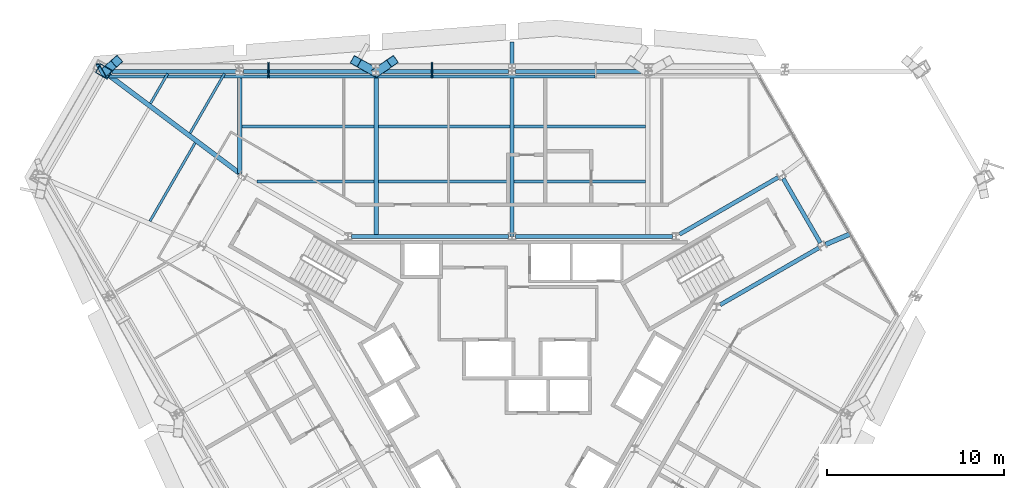
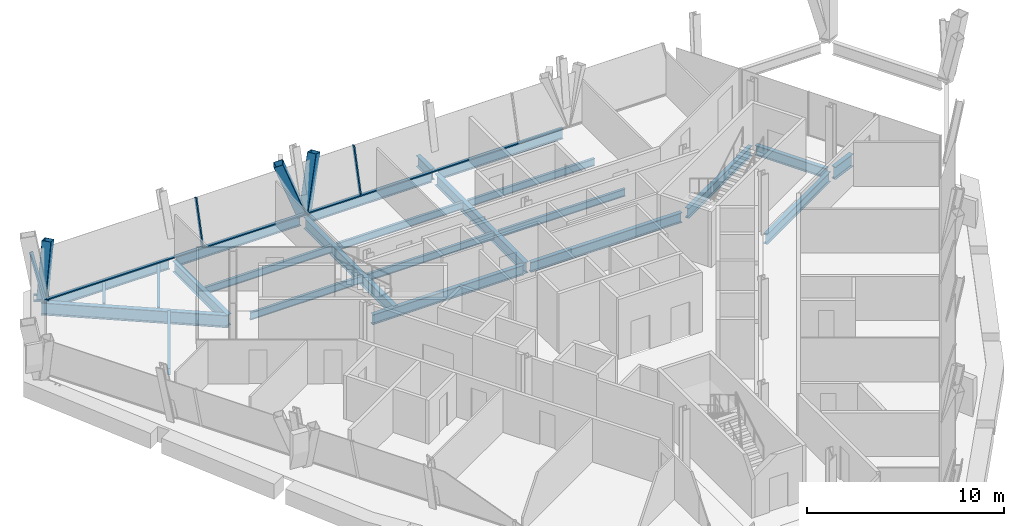
# One storey, part 4 of 12: 24 beams, 10 members, 2 elements without a shape of their own.
"""IFC4 building model written with IfcOpenShell, lengths in metres."""

from ifc_helpers import new_model, si_unit, direction, frame, origin, origin_2d, place, context, subcontext, project, spatial, rectangle, hollow_rectangle, i_section, extrude, material, material_profile, profile_set, type_object, element, aggregate, save


model = new_model("IFC4")

# Units and contexts
model_context = context("Model", 3, precision=1e-05, world=origin(), true_north=direction((0.0, 1.0)))
body_context = subcontext(model_context, "Body", "Model", "MODEL_VIEW")
ifc_project = project(units=[si_unit("LENGTHUNIT", "METRE"), si_unit("AREAUNIT", "SQUARE_METRE"), si_unit("VOLUMEUNIT", "CUBIC_METRE"), si_unit("PLANEANGLEUNIT", "RADIAN"), si_unit("MASSUNIT", "GRAM", prefix="KILO")], contexts=[model_context])

# Site, building, storey
site_placement = place(None, origin())
site = spatial("IfcSite", under=ifc_project, at=site_placement, CompositionType="ELEMENT")
building_placement = place(site_placement, origin())
building = spatial("IfcBuilding", under=site, at=building_placement, Name="Verrane Prism Tower", CompositionType="ELEMENT")
storey_placement = place(building_placement, frame((0.0, 0.0, 174.699951171875)))
storey = spatial("IfcBuildingStorey", under=building, at=storey_placement, Name="L43", CompositionType="ELEMENT", Elevation=174.699951171875)

# Beams
ifc_material_1 = material(Name="Steel A992", Category="steel")
ifc_material_profile_1 = material_profile(ifc_material_1, i_section(OverallWidth=0.23046875, OverallDepth=0.6171875, WebThickness=0.01318359375, FlangeThickness=0.022216796875, FilletRadius=0.012939453125, at=origin_2d()), Name="W24x94")
ifc_profile_set_1 = profile_set([ifc_material_profile_1], Name="Steel A992")
beam_type_1 = type_object("IfcBeamType", Name="Core ring girder W24x94", PredefinedType="BEAM", material=ifc_profile_set_1)
beam_1_placement = place(storey_placement, frame((11.7607421875, 4.1357421875, -0.55859375), z_axis=(0.866075143088, 0.499913839102, 0.0), x_axis=(-0.499913839102, 0.866075143088, 0.0)))
element("IfcBeam", 1, at=beam_1_placement, inside=storey, type_object=beam_type_1, Name="Core ring girder L43", PredefinedType="BEAM", context=body_context, shape_type="SweptSolid", body=[
    extrude(i_section(OverallWidth=0.23046875, OverallDepth=0.6171875, WebThickness=0.01318359375, FlangeThickness=0.022216796875, FilletRadius=0.012939453125, at=origin_2d()), origin(), (0.0, 0.0, 1.0), 6.441650390625),
])
beam_2_placement = place(storey_placement, frame((17.418212890625, 7.635986328125, -0.55859375), z_axis=(-0.500305747711, 0.865848808284, 0.0), x_axis=(-0.865848808284, -0.500305747711, 0.0)))
element("IfcBeam", 2, at=beam_2_placement, inside=storey, type_object=beam_type_1, Name="Core ring girder L43", PredefinedType="BEAM", context=body_context, shape_type="SweptSolid", body=[
    extrude(i_section(OverallWidth=0.23046875, OverallDepth=0.6171875, WebThickness=0.01318359375, FlangeThickness=0.022216796875, FilletRadius=0.012939453125, at=origin_2d()), origin(), (0.0, 0.0, 1.0), 4.1904296875),
])
beam_3_placement = place(storey_placement, frame((15.03955078125, 11.3359375, -0.55859375), z_axis=(-0.866075143088, -0.499913839102, 0.0), x_axis=(0.499913839102, -0.866075143088, 0.0)))
element("IfcBeam", 3, at=beam_3_placement, inside=storey, type_object=beam_type_1, Name="Core ring girder L43", PredefinedType="BEAM", context=body_context, shape_type="SweptSolid", body=[
    extrude(i_section(OverallWidth=0.23046875, OverallDepth=0.6171875, WebThickness=0.01318359375, FlangeThickness=0.022216796875, FilletRadius=0.012939453125, at=origin_2d()), origin(), (0.0, 0.0, 1.0), 6.441650390625),
])
for number, where, z_axis, x_axis, name in (
    (4, (9.059326171875, 8.0, -0.55859375), (-1.0, 0.0, 0.0), (0.0, -1.0, 0.0), "Core ring girder L43"),
    (5, (-0.20068359375, 8.0, -0.55859375), (-1.0, 0.0, 0.0), (0.0, -1.0, 0.0), "Core ring girder L43"),
):
    element("IfcBeam", number, at=place(storey_placement, frame(where, z_axis=z_axis, x_axis=x_axis)), inside=storey, type_object=beam_type_1, Name=name, PredefinedType="BEAM", context=body_context, shape_type="SweptSolid", body=[
        extrude(i_section(OverallWidth=0.23046875, OverallDepth=0.6171875, WebThickness=0.01318359375, FlangeThickness=0.022216796875, FilletRadius=0.012939453125, at=origin_2d()), origin(), (0.0, 0.0, 1.0), 8.858642578125),
    ])
ifc_material_2 = material(Name="Steel A992", Category="steel")
ifc_material_profile_2 = material_profile(ifc_material_2, i_section(OverallWidth=0.2666015625, OverallDepth=0.76708984375, WebThickness=0.014892578125, FlangeThickness=0.023681640625, FilletRadius=0.0166015625, at=origin_2d()), Name="W30x124")
ifc_profile_set_2 = profile_set([ifc_material_profile_2], Name="Steel A992")
beam_type_2 = type_object("IfcBeamType", Name="Corner girder W30x124", PredefinedType="BEAM", material=ifc_profile_set_2)
beam_4_placement = place(storey_placement, frame((19.10595703125, 8.137451171875, -0.603515625), z_axis=(-0.919636160001, -0.392771349794, 0.0), x_axis=(0.392771349794, -0.919636160001, 0.0)))
element("IfcBeam", 6, at=beam_4_placement, inside=storey, type_object=beam_type_2, Name="Corner girder L43", PredefinedType="BEAM", context=body_context, shape_type="SweptSolid", body=[
    extrude(i_section(OverallWidth=0.2666015625, OverallDepth=0.76708984375, WebThickness=0.014892578125, FlangeThickness=0.023681640625, FilletRadius=0.0166015625, at=origin_2d()), origin(), (0.0, 0.0, 1.0), 1.514892578125),
])
beam_5_placement = place(storey_placement, frame((-23.048583984375, 17.308837890625, -0.603515625), z_axis=(0.800128499961, -0.599828628485, 0.0), x_axis=(0.599828628485, 0.800128499961, 0.0)))
element("IfcBeam", 7, at=beam_5_placement, inside=storey, type_object=beam_type_2, Name="Corner girder L43", PredefinedType="BEAM", context=body_context, shape_type="SweptSolid", body=[
    extrude(i_section(OverallWidth=0.2666015625, OverallDepth=0.76708984375, WebThickness=0.014892578125, FlangeThickness=0.023681640625, FilletRadius=0.0166015625, at=origin_2d()), origin(), (0.0, 0.0, 1.0), 9.57421875),
])

# Members
ifc_material_3 = material(Name="Steel A500 Grade C", Category="steel")
ifc_material_profile_3 = material_profile(ifc_material_3, hollow_rectangle(XDim=0.508056640625, YDim=0.508056640625, WallThickness=0.01904296875, InnerFilletRadius=0.009521484375, OuterFilletRadius=0.028564453125, at=origin_2d()), Name="HSS20x20x3/4")
ifc_profile_set_3 = profile_set([ifc_material_profile_3], Name="Steel A500 Grade C")
member_type_1 = type_object("IfcMemberType", Name="Facade brace HSS20x20x3/4", PredefinedType="BRACE", material=ifc_profile_set_3)
member_1_placement = place(storey_placement, frame((-7.60009765625, 17.31005859375, -0.171630859375), z_axis=(0.256110562075, 0.176287718691, 0.950436752358), x_axis=(-0.56699110255, 0.823723915902, 0.0)))
element("IfcMember", 8, at=member_1_placement, inside=storey, type_object=member_type_1, Name="Facade brace N3 L43", PredefinedType="BRACE", context=body_context, shape_type="SweptSolid", body=[
    extrude(hollow_rectangle(XDim=0.508056640625, YDim=0.508056640625, WallThickness=0.01904296875, InnerFilletRadius=0.009521484375, OuterFilletRadius=0.028564453125, at=origin_2d()), origin(), (0.0, 0.0, 1.0), 3.3154296875),
])
member_2_placement = place(storey_placement, frame((-7.77880859375, 17.31005859375, -0.171630859375), z_axis=(-0.310636410347, 0.173348150669, 0.934588379569), x_axis=(-0.48730118946, -0.873233961062, 0.0)))
element("IfcMember", 9, at=member_2_placement, inside=storey, type_object=member_type_1, Name="Facade brace N4 L43", PredefinedType="BRACE", context=body_context, shape_type="SweptSolid", body=[
    extrude(hollow_rectangle(XDim=0.508056640625, YDim=0.508056640625, WallThickness=0.01904296875, InnerFilletRadius=0.009521484375, OuterFilletRadius=0.028564453125, at=origin_2d()), origin(), (0.0, 0.0, 1.0), 3.37158203125),
])
member_3_placement = place(storey_placement, frame((-22.9873046875, 17.31005859375, -0.171630859375), z_axis=(0.20289453749, 0.178577030423, 0.962779336537), x_axis=(-0.660690105763, 0.750658766782, 0.0)))
element("IfcMember", 10, at=member_3_placement, inside=storey, type_object=member_type_1, Name="Facade brace N5 L43", PredefinedType="BRACE", context=body_context, shape_type="SweptSolid", body=[
    extrude(hollow_rectangle(XDim=0.508056640625, YDim=0.508056640625, WallThickness=0.01904296875, InnerFilletRadius=0.009521484375, OuterFilletRadius=0.028564453125, at=origin_2d()), origin(), (0.0, 0.0, 1.0), 3.27294921875),
])

# Beams
ifc_material_4 = material(Name="Steel A992", Category="steel")
ifc_material_profile_4 = material_profile(ifc_material_4, i_section(OverallWidth=0.140380859375, OverallDepth=0.40380859375, WebThickness=0.007080078125, FlangeThickness=0.01123046875, FilletRadius=0.01025390625, at=origin_2d()), Name="W16x31")
ifc_profile_set_4 = profile_set([ifc_material_profile_4], Name="Steel A992")
beam_type_3 = type_object("IfcBeamType", Name="Floor beam W16x31", PredefinedType="BEAM", material=ifc_profile_set_4)
beam_6_placement = place(storey_placement, frame((-18.18505859375, 13.828125, -0.36181640625), z_axis=(0.499988811324, 0.866031863473, 0.0), x_axis=(-0.866031863473, 0.499988811324, 0.0)))
element("IfcBeam", 11, at=beam_6_placement, inside=storey, type_object=beam_type_3, Name="Floor beam L43", PredefinedType="BEAM", context=body_context, shape_type="SweptSolid", body=[
    extrude(i_section(OverallWidth=0.140380859375, OverallDepth=0.40380859375, WebThickness=0.007080078125, FlangeThickness=0.01123046875, FilletRadius=0.01025390625, at=origin_2d()), origin(), (0.0, 0.0, 1.0), 3.8876953125),
])
beam_7_placement = place(storey_placement, frame((-20.4228515625, 15.50634765625, -0.36181640625), z_axis=(0.49995005938, 0.866054235095, 0.0), x_axis=(-0.866054235095, 0.49995005938, 0.0)))
element("IfcBeam", 12, at=beam_7_placement, inside=storey, type_object=beam_type_3, Name="Floor beam L43", PredefinedType="BEAM", context=body_context, shape_type="SweptSolid", body=[
    extrude(i_section(OverallWidth=0.140380859375, OverallDepth=0.40380859375, WebThickness=0.007080078125, FlangeThickness=0.01123046875, FilletRadius=0.01025390625, at=origin_2d()), origin(), (0.0, 0.0, 1.0), 1.949951171875),
])
beam_8_placement = place(storey_placement, frame((-20.450439453125, 8.85791015625, -0.36181640625), z_axis=(0.499991534382, 0.866030291356, 0.0), x_axis=(-0.866030291356, 0.499991534382, 0.0)))
element("IfcBeam", 13, at=beam_8_placement, inside=storey, type_object=beam_type_3, Name="Floor beam L43", PredefinedType="BEAM", context=body_context, shape_type="SweptSolid", body=[
    extrude(i_section(OverallWidth=0.140380859375, OverallDepth=0.40380859375, WebThickness=0.007080078125, FlangeThickness=0.01123046875, FilletRadius=0.01025390625, at=origin_2d()), origin(), (0.0, 0.0, 1.0), 5.10498046875),
])
ifc_material_5 = material(Name="Steel A992", Category="steel")
ifc_material_profile_5 = material_profile(ifc_material_5, i_section(OverallWidth=0.15234375, OverallDepth=0.449462890625, WebThickness=0.007568359375, FlangeThickness=0.0107421875, FilletRadius=0.01025390625, at=origin_2d()), Name="W18x35")
ifc_profile_set_5 = profile_set([ifc_material_profile_5], Name="Steel A992")
beam_type_4 = type_object("IfcBeamType", Name="Floor beam W18x35", PredefinedType="BEAM", material=ifc_profile_set_5)
for number, where, z_axis, x_axis, name in (
    (14, (0.126953125, 11.103271484375, -0.384765625), (1.0, 0.0, 0.0), (0.0, 1.0, 0.0), "Floor beam L43"),
    (15, (0.126953125, 14.206787109375, -0.384765625), (1.0, 0.0, 0.0), (0.0, 1.0, 0.0), "Floor beam L43"),
    (16, (-7.552978515625, 11.103271484375, -0.384765625), (1.0, 0.0, 0.0), (0.0, 1.0, 0.0), "Floor beam L43"),
    (17, (-7.552978515625, 14.206787109375, -0.384765625), (1.0, 0.0, 0.0), (0.0, 1.0, 0.0), "Floor beam L43"),
):
    element("IfcBeam", number, at=place(storey_placement, frame(where, z_axis=z_axis, x_axis=x_axis)), inside=storey, type_object=beam_type_4, Name=name, PredefinedType="BEAM", context=body_context, shape_type="SweptSolid", body=[
        extrude(i_section(OverallWidth=0.15234375, OverallDepth=0.449462890625, WebThickness=0.007568359375, FlangeThickness=0.0107421875, FilletRadius=0.01025390625, at=origin_2d()), origin(), (0.0, 0.0, 1.0), 7.426025390625),
    ])
beam_9_placement = place(storey_placement, frame((-14.40673828125, 11.103271484375, -0.384765625), z_axis=(1.0, 0.0, 0.0), x_axis=(0.0, 1.0, 0.0)))
element("IfcBeam", 18, at=beam_9_placement, inside=storey, type_object=beam_type_4, Name="Floor beam L43", PredefinedType="BEAM", context=body_context, shape_type="SweptSolid", body=[
    extrude(i_section(OverallWidth=0.15234375, OverallDepth=0.449462890625, WebThickness=0.007568359375, FlangeThickness=0.0107421875, FilletRadius=0.01025390625, at=origin_2d()), origin(), (0.0, 0.0, 1.0), 6.599853515625),
])
beam_10_placement = place(storey_placement, frame((-15.242919921875, 14.206787109375, -0.384765625), z_axis=(1.0, 0.0, 0.0), x_axis=(0.0, 1.0, 0.0)))
element("IfcBeam", 19, at=beam_10_placement, inside=storey, type_object=beam_type_4, Name="Floor beam L43", PredefinedType="BEAM", context=body_context, shape_type="SweptSolid", body=[
    extrude(i_section(OverallWidth=0.15234375, OverallDepth=0.449462890625, WebThickness=0.007568359375, FlangeThickness=0.0107421875, FilletRadius=0.01025390625, at=origin_2d()), origin(), (0.0, 0.0, 1.0), 7.43603515625),
])

# Member
ifc_material_6 = material(Name="Steel A572 Grade 50", Category="steel")
ifc_material_profile_6 = material_profile(ifc_material_6, hollow_rectangle(XDim=0.60009765625, YDim=0.800048828125, WallThickness=0.050048828125, at=origin_2d()), Name="BOX 800x600x50")
ifc_profile_set_6 = profile_set([ifc_material_profile_6], Name="Steel A572 Grade 50")
member_type_2 = type_object("IfcMemberType", Name="Kink node BOX 800x600x50", PredefinedType="COLLAR", material=ifc_profile_set_6)
member_4_placement = place(storey_placement, frame((-23.053466796875, 17.316162109375, -0.06494140625), z_axis=(0.0, 0.0, 1.0), x_axis=(0.5, 0.866025403784, 0.0)))
element("IfcMember", 20, at=member_4_placement, inside=storey, type_object=member_type_2, Name="Kink node MC4 L43", PredefinedType="COLLAR", context=body_context, shape_type="SweptSolid", body=[
    extrude(hollow_rectangle(XDim=0.60009765625, YDim=0.800048828125, WallThickness=0.050048828125, at=origin_2d()), origin(), (0.0, 0.0, 1.0), 0.1298828125),
])

# Curtain wall, members
ifc_material_7 = material(Name="Aluminium framed insulated glazing", Category="aluminium")
curtain_wall_type = type_object("IfcCurtainWallType", Name="Curtain wall CW-A 8400 module", PredefinedType="NOTDEFINED", material=ifc_material_7)
curtain_wall_1_placement = place(storey_placement, origin())
curtain_wall_1 = element("IfcCurtainWall", 21, at=curtain_wall_1_placement, inside=storey, type_object=curtain_wall_type, Name="Glazed curtain wall north face L43", PredefinedType="NOTDEFINED")
ifc_material_8 = material(Name="Aluminium alloy 6063-T6", Category="aluminium")
ifc_material_profile_7 = material_profile(ifc_material_8, rectangle(XDim=0.199951171875, YDim=0.070068359375, at=origin_2d()), Name="Mullion 70x200 aluminium")
ifc_profile_set_7 = profile_set([ifc_material_profile_7], Name="Aluminium alloy 6063-T6")
member_type_3 = type_object("IfcMemberType", Name="Mullion 70x200 aluminium", PredefinedType="MULLION", material=ifc_profile_set_7)
member_5_placement = place(storey_placement, frame((-4.516357421875, 17.031005859375, 0.0), z_axis=(0.0, 0.249827945556, 0.968290244513), x_axis=(0.0, 0.968290244513, -0.249827945556)))
member_5 = element("IfcMember", 22, at=member_5_placement, type_object=member_type_3, Name="CW42.2 mullion 3", PredefinedType="MULLION", context=body_context, shape_type="SweptSolid", body=[
    extrude(rectangle(XDim=0.199951171875, YDim=0.070068359375, at=origin_2d()), origin(), (0.0, 0.0, 1.0), 2.8017578125),
])
member_6_placement = place(storey_placement, frame((-13.76025390625, 17.031005859375, 0.0), z_axis=(0.0, 0.249827945556, 0.968290244513), x_axis=(0.0, 0.968290244513, -0.249827945556)))
member_6 = element("IfcMember", 23, at=member_6_placement, type_object=member_type_3, Name="CW42.2 mullion 4", PredefinedType="MULLION", context=body_context, shape_type="SweptSolid", body=[
    extrude(rectangle(XDim=0.199951171875, YDim=0.070068359375, at=origin_2d()), origin(), (0.0, 0.0, 1.0), 2.8017578125),
])

# Curtain wall, member
curtain_wall_2_placement = place(storey_placement, origin())
curtain_wall_2 = element("IfcCurtainWall", 24, at=curtain_wall_2_placement, inside=storey, type_object=curtain_wall_type, Name="Glazed curtain wall north-west corner L43", PredefinedType="NOTDEFINED")
member_7_placement = place(storey_placement, frame((-23.021484375, 17.000732421875, 0.0), z_axis=(-0.136448008455, 0.257486431098, 0.956599539405), x_axis=(-0.989179922715, 0.017124503907, -0.145704604814)))
member_7 = element("IfcMember", 25, at=member_7_placement, type_object=member_type_3, Name="CW42.3 mullion 1", PredefinedType="MULLION", context=body_context, shape_type="SweptSolid", body=[
    extrude(rectangle(XDim=0.199951171875, YDim=0.070068359375, at=origin_2d()), origin(), (0.0, 0.0, 1.0), 2.8359375),
])
aggregate(curtain_wall_2, [member_7])

# Beams
ifc_material_9 = material(Name="Steel A992", Category="steel")
ifc_material_profile_8 = material_profile(ifc_material_9, i_section(OverallWidth=0.25390625, OverallDepth=0.683349609375, WebThickness=0.012451171875, FlangeThickness=0.01904296875, FilletRadius=0.01513671875, at=origin_2d()), Name="W27x94")
ifc_profile_set_8 = profile_set([ifc_material_profile_8], Name="Steel A992")
beam_type_5 = type_object("IfcBeamType", Name="Radial girder W27x94", PredefinedType="BEAM", material=ifc_profile_set_8)
for number, where, z_axis, x_axis, name in (
    (26, (0.0, 17.0927734375, -0.5615234375), (0.0, -1.0, 0.0), (1.0, 0.0, 0.0), "Radial girder L43"),
    (27, (-7.679931640625, 17.0927734375, -0.5615234375), (0.0, -1.0, 0.0), (1.0, 0.0, 0.0), "Radial girder L43"),
):
    element("IfcBeam", number, at=place(storey_placement, frame(where, z_axis=z_axis, x_axis=x_axis)), inside=storey, type_object=beam_type_5, Name=name, PredefinedType="BEAM", context=body_context, shape_type="SweptSolid", body=[
        extrude(i_section(OverallWidth=0.25390625, OverallDepth=0.683349609375, WebThickness=0.012451171875, FlangeThickness=0.01904296875, FilletRadius=0.01513671875, at=origin_2d()), origin(), (0.0, 0.0, 1.0), 9.0927734375),
    ])
beam_11_placement = place(storey_placement, frame((-15.3701171875, 17.0927734375, -0.5615234375), z_axis=(0.0, -1.0, 0.0), x_axis=(1.0, 0.0, 0.0)))
element("IfcBeam", 28, at=beam_11_placement, inside=storey, type_object=beam_type_5, Name="Radial girder L43", PredefinedType="BEAM", context=body_context, shape_type="SweptSolid", body=[
    extrude(i_section(OverallWidth=0.25390625, OverallDepth=0.683349609375, WebThickness=0.012451171875, FlangeThickness=0.01904296875, FilletRadius=0.01513671875, at=origin_2d()), origin(), (0.0, 0.0, 1.0), 5.540283203125),
])
beam_12_placement = place(storey_placement, frame((0.0, 17.523193359375, -0.5615234375), z_axis=(0.0, 1.0, 0.0), x_axis=(-1.0, 0.0, 0.0)))
element("IfcBeam", 29, at=beam_12_placement, inside=storey, type_object=beam_type_5, Name="Cantilever girder L43", PredefinedType="BEAM", context=body_context, shape_type="SweptSolid", body=[
    extrude(i_section(OverallWidth=0.25390625, OverallDepth=0.683349609375, WebThickness=0.012451171875, FlangeThickness=0.01904296875, FilletRadius=0.01513671875, at=origin_2d()), origin(), (0.0, 0.0, 1.0), 1.458740234375),
])
ifc_material_10 = material(Name="Steel A992", Category="steel")
ifc_material_profile_9 = material_profile(ifc_material_10, i_section(OverallWidth=0.23046875, OverallDepth=0.6171875, WebThickness=0.01318359375, FlangeThickness=0.022216796875, FilletRadius=0.012939453125, at=origin_2d()), Name="W24x94")
ifc_profile_set_9 = profile_set([ifc_material_profile_9], Name="Steel A992")
beam_type_6 = type_object("IfcBeamType", Name="Spandrel beam W24x94", PredefinedType="SPANDREL", material=ifc_profile_set_9)
for number, where, z_axis, x_axis, name in (
    (30, (7.474365234375, 17.31005859375, -0.468505859375), (-1.0, 0.0, 0.0), (0.0, -1.0, 0.0), "Spandrel beam L43"),
    (31, (-0.205810546875, 17.31005859375, -0.468505859375), (-1.0, 0.0, 0.0), (0.0, -1.0, 0.0), "Spandrel beam L43"),
):
    element("IfcBeam", number, at=place(storey_placement, frame(where, z_axis=z_axis, x_axis=x_axis)), inside=storey, type_object=beam_type_6, Name=name, PredefinedType="SPANDREL", context=body_context, shape_type="SweptSolid", body=[
        extrude(i_section(OverallWidth=0.23046875, OverallDepth=0.6171875, WebThickness=0.01318359375, FlangeThickness=0.022216796875, FilletRadius=0.012939453125, at=origin_2d()), origin(), (0.0, 0.0, 1.0), 7.2685546875),
    ])
beam_13_placement = place(storey_placement, frame((-7.8857421875, 17.31005859375, -0.468505859375), z_axis=(-1.0, 0.0, 0.0), x_axis=(0.0, -1.0, 0.0)))
element("IfcBeam", 32, at=beam_13_placement, inside=storey, type_object=beam_type_6, Name="Spandrel beam L43", PredefinedType="SPANDREL", context=body_context, shape_type="SweptSolid", body=[
    extrude(i_section(OverallWidth=0.23046875, OverallDepth=0.6171875, WebThickness=0.01318359375, FlangeThickness=0.022216796875, FilletRadius=0.012939453125, at=origin_2d()), origin(), (0.0, 0.0, 1.0), 7.278564453125),
])
beam_14_placement = place(storey_placement, frame((-15.57568359375, 17.31005859375, -0.468505859375), z_axis=(-1.0, 0.0, 0.0), x_axis=(0.0, -1.0, 0.0)))
element("IfcBeam", 33, at=beam_14_placement, inside=storey, type_object=beam_type_6, Name="Spandrel beam L43", PredefinedType="SPANDREL", context=body_context, shape_type="SweptSolid", body=[
    extrude(i_section(OverallWidth=0.23046875, OverallDepth=0.6171875, WebThickness=0.01318359375, FlangeThickness=0.022216796875, FilletRadius=0.012939453125, at=origin_2d()), origin(), (0.0, 0.0, 1.0), 7.012451171875),
])

# Member
ifc_material_11 = material(Name="Aluminium alloy 6063-T6", Category="aluminium")
ifc_material_profile_10 = material_profile(ifc_material_11, rectangle(XDim=0.14990234375, YDim=0.070068359375, at=origin_2d()), Name="Transom 70x150 aluminium")
ifc_profile_set_10 = profile_set([ifc_material_profile_10], Name="Aluminium alloy 6063-T6")
member_type_4 = type_object("IfcMemberType", Name="Transom 70x150 aluminium", PredefinedType="USERDEFINED", material=ifc_profile_set_10)
member_8_placement = place(storey_placement, frame((4.6923828125, 17.031005859375, 0.03515625), z_axis=(-1.0, 0.0, 0.0), x_axis=(0.0, -1.0, 0.0)))
member_8 = element("IfcMember", 34, at=member_8_placement, type_object=member_type_4, Name="CW42.2 transom 2", ObjectType="TRANSOM", PredefinedType="USERDEFINED", context=body_context, shape_type="SweptSolid", body=[
    extrude(rectangle(XDim=0.14990234375, YDim=0.070068359375, at=origin_2d()), origin(), (0.0, 0.0, 1.0), 9.173828125),
])

member_9_placement = place(storey_placement, frame((-4.55126953125, 17.031005859375, 0.03515625), z_axis=(-1.0, 0.0, 0.0), x_axis=(0.0, -1.0, 0.0)))
member_9 = element("IfcMember", 35, at=member_9_placement, type_object=member_type_4, Name="CW42.2 transom 3", ObjectType="TRANSOM", PredefinedType="USERDEFINED", context=body_context, shape_type="SweptSolid", body=[
    extrude(rectangle(XDim=0.14990234375, YDim=0.070068359375, at=origin_2d()), origin(), (0.0, 0.0, 1.0), 9.173828125),
])

member_10_placement = place(storey_placement, frame((-13.795166015625, 17.031005859375, 0.03515625), z_axis=(-1.0, 0.0, 0.0), x_axis=(0.0, -1.0, 0.0)))
member_10 = element("IfcMember", 36, at=member_10_placement, type_object=member_type_4, Name="CW42.2 transom 4", ObjectType="TRANSOM", PredefinedType="USERDEFINED", context=body_context, shape_type="SweptSolid", body=[
    extrude(rectangle(XDim=0.14990234375, YDim=0.070068359375, at=origin_2d()), origin(), (0.0, 0.0, 1.0), 9.208740234375),
])

aggregate(curtain_wall_1, [member_5, member_6, member_8, member_9, member_10])

save(model, "model.ifc")
